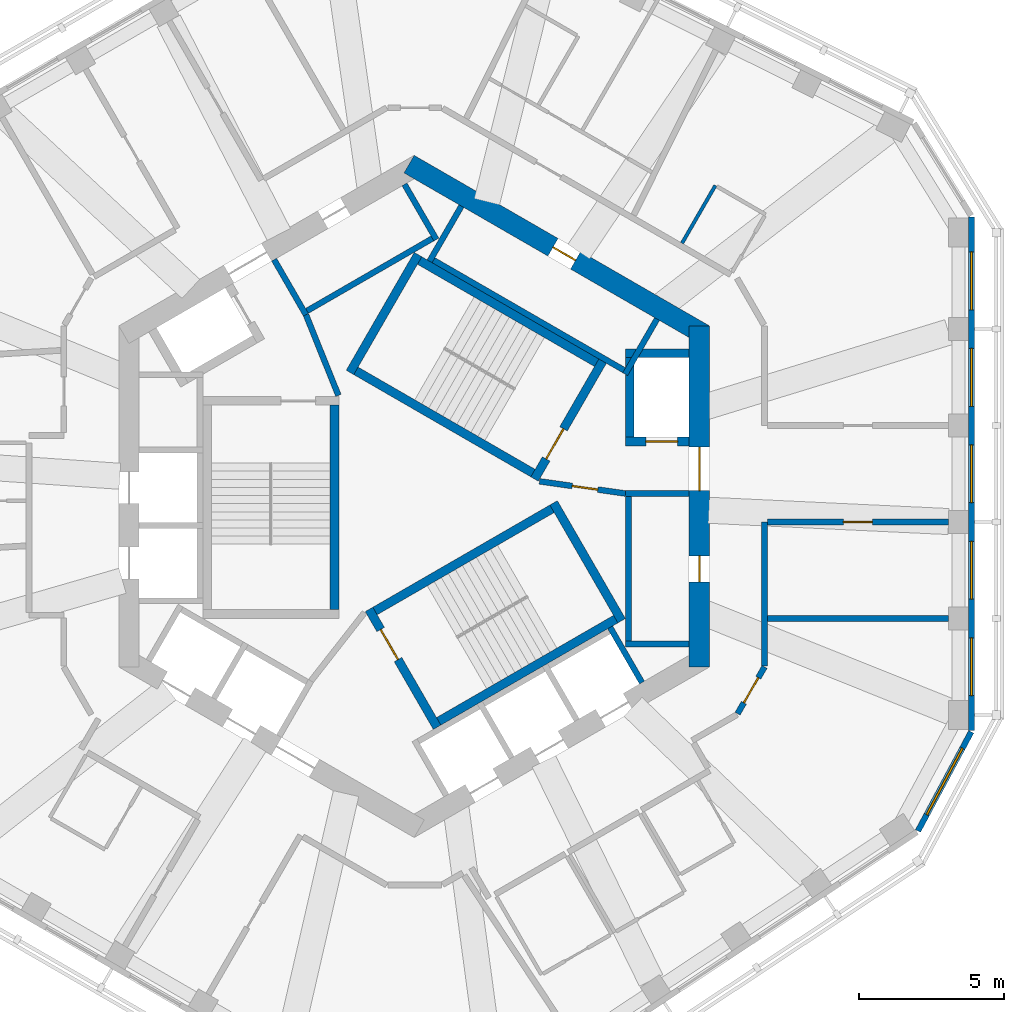
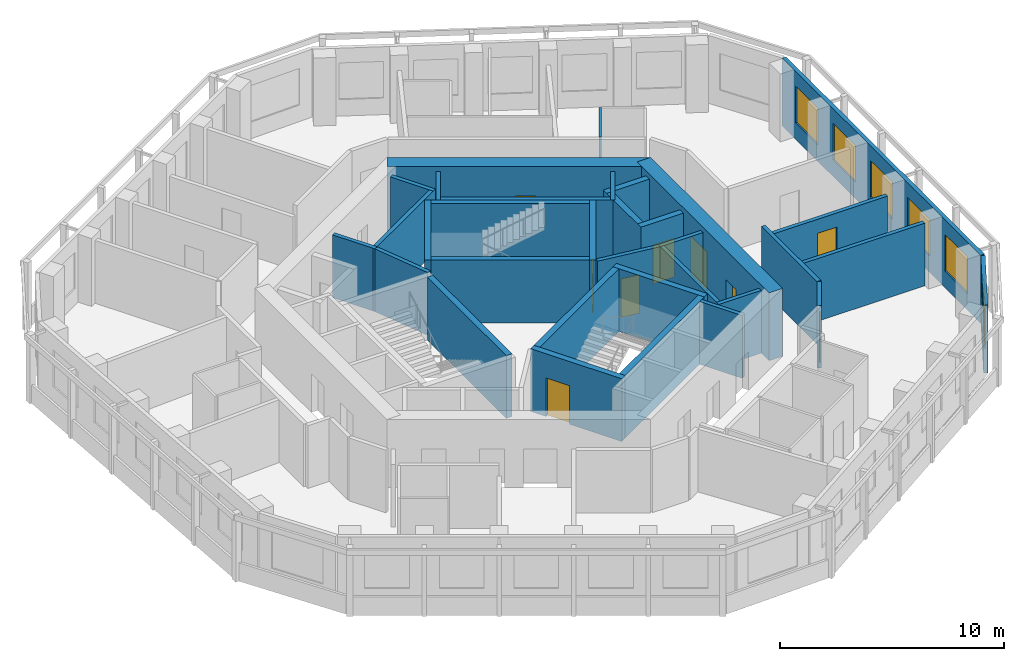
# One storey, part 6 of 11: 33 walls, 9 doors, 6 windows, 15 openings.
"""IFC4 building model written with IfcOpenShell, lengths in metres."""

from ifc_helpers import new_model, si_unit, direction, frame, frame_2d, origin, place, context, subcontext, project, spatial, rectangle, extrude, material, layer, layer_set, type_object, element, fill, save


model = new_model("IFC4")

# Units and contexts
model_context = context("Model", 3, precision=1e-05, world=origin(), true_north=direction((0.0, 1.0)))
body_context = subcontext(model_context, "Body", "Model", "MODEL_VIEW")
ifc_project = project(units=[si_unit("LENGTHUNIT", "METRE"), si_unit("AREAUNIT", "SQUARE_METRE"), si_unit("VOLUMEUNIT", "CUBIC_METRE"), si_unit("PLANEANGLEUNIT", "RADIAN"), si_unit("MASSUNIT", "GRAM", prefix="KILO")], contexts=[model_context])

# Site, building, storey
site_placement = place(None, origin())
site = spatial("IfcSite", under=ifc_project, at=site_placement, CompositionType="ELEMENT")
building_placement = place(site_placement, origin())
building = spatial("IfcBuilding", under=site, at=building_placement, Name="Vanh Sen Convention Tower", CompositionType="ELEMENT")
storey_placement = place(building_placement, frame((0.0, 0.0, 289.39990234375)))
storey = spatial("IfcBuildingStorey", under=building, at=storey_placement, Name="L71", CompositionType="ELEMENT", Elevation=289.39990234375)

# Wall
ifc_material_1 = material(Name="Moisture-resistant gypsum board on steel studs", Category="steel")
ifc_layer_1 = layer(ifc_material_1, 0.1201171875)
ifc_layer_set_1 = layer_set([ifc_layer_1], Name="Moisture-resistant gypsum board on steel studs")
wall_type_1 = type_object("IfcWallType", Name="Bathroom partition 120", PredefinedType="PARTITIONING", material=ifc_layer_set_1)
wall_1_placement = place(storey_placement, frame((9.25146484375, 8.74609375, 0.0), z_axis=(0.0, 0.0, 1.0), x_axis=(0.499998129301, 0.86602648383, 0.0)))
element("IfcWall", 1, at=wall_1_placement, inside=storey, type_object=wall_type_1, Name="Bathroom partition 120", PredefinedType="PARTITIONING", context=body_context, shape_type="SweptSolid", body=[
    extrude(rectangle(XDim=2.2998046875, YDim=0.1201171875, at=frame_2d((1.14990234375, 0.0))), origin(), (0.0, 0.0, 1.0), 3.420166015625),
])

# Wall, openings, doors
ifc_material_2 = material(Name="Concrete C60/75", Category="concrete")
ifc_layer_2 = layer(ifc_material_2, 0.699951171875)
ifc_layer_set_2 = layer_set([ifc_layer_2], Name="Concrete C60/75")
wall_type_2 = type_object("IfcWallType", Name="Core outer wall 700 C60/75", PredefinedType="SHEAR", material=ifc_layer_set_2)
wall_2_placement = place(storey_placement, frame((9.85009765625, -5.888916015625, 0.0), z_axis=(0.0, 0.0, 1.0), x_axis=(0.0, 1.0, 0.0)))
wall_2 = element("IfcWall", 2, at=wall_2_placement, inside=storey, type_object=wall_type_2, Name="Core wall face E L71", PredefinedType="SHEAR", context=body_context, shape_type="SweptSolid", body=[
    extrude(rectangle(XDim=11.77783203125, YDim=0.699951171875, at=frame_2d((5.888916015625, 0.0))), origin(), (0.0, 0.0, 1.0), 3.7001953125),
])
opening_1_placement = place(wall_2_placement, frame((6.089111328125, 0.0, 0.0)))
opening_1 = element("IfcOpeningElement", 3, at=opening_1_placement, cuts=wall_2, Name="Opening D70001", PredefinedType="OPENING", context=body_context, shape_type="SweptSolid", body=[
    extrude(rectangle(XDim=1.5, YDim=2.10009765625, at=frame_2d((0.75, 1.050048828125))), frame((0.0, 0.35986328125, 0.0), z_axis=(0.0, -1.0, 0.0), x_axis=(1.0, 0.0, 0.0)), (0.0, 0.0, 1.0), 0.719970703125),
])
opening_2_placement = place(wall_2_placement, frame((2.93896484375, 0.0, 0.0)))
opening_2 = element("IfcOpeningElement", 4, at=opening_2_placement, cuts=wall_2, Name="Opening D70008", PredefinedType="OPENING", context=body_context, shape_type="SweptSolid", body=[
    extrude(rectangle(XDim=0.89990234375, YDim=2.10009765625, at=frame_2d((0.449951171875, 1.050048828125))), frame((0.0, 0.35986328125, 0.0), z_axis=(0.0, -1.0, 0.0), x_axis=(1.0, 0.0, 0.0)), (0.0, 0.0, 1.0), 0.719970703125),
])
ifc_material_3 = material(Name="Steel S355", Category="steel")
door_type_1 = type_object("IfcDoorType", Name="Plant door 900", OperationType="SINGLE_SWING_LEFT", PredefinedType="DOOR", material=ifc_material_3)
door_1_placement = place(opening_2_placement, origin())
door_1 = element("IfcDoor", 5, at=door_1_placement, inside=storey, type_object=door_type_1, Name="Plant door D70008", OperationType="SINGLE_SWING_LEFT", OverallHeight=2.10009765625, OverallWidth=0.89990234375, PredefinedType="DOOR", context=body_context, shape_type="SweptSolid", body=[
    extrude(rectangle(XDim=0.89990234375, YDim=2.10009765625, at=frame_2d((0.449951171875, 1.050048828125))), frame((0.0, 0.02490234375, 0.0), z_axis=(0.0, -1.0, 0.0), x_axis=(1.0, 0.0, 0.0)), (0.0, 0.0, 1.0), 0.050048828125),
])
fill(opening_2, door_1)
door_type_2 = type_object("IfcDoorType", Name="Stair lobby door 1500", OperationType="DOUBLE_DOOR_SINGLE_SWING", PredefinedType="DOOR", material=ifc_material_3)
door_2_placement = place(opening_1_placement, origin())
door_2 = element("IfcDoor", 6, at=door_2_placement, inside=storey, type_object=door_type_2, Name="Stair lobby door D70001", OperationType="DOUBLE_DOOR_SINGLE_SWING", OverallHeight=2.10009765625, OverallWidth=1.5, PredefinedType="DOOR", context=body_context, shape_type="SweptSolid", body=[
    extrude(rectangle(XDim=1.5, YDim=2.10009765625, at=frame_2d((0.75, 1.050048828125))), frame((0.0, 0.02490234375, 0.0), z_axis=(0.0, -1.0, 0.0), x_axis=(1.0, 0.0, 0.0)), (0.0, 0.0, 1.0), 0.050048828125),
])
fill(opening_1, door_2)

# Wall, opening, door
wall_3_placement = place(storey_placement, frame((10.02490234375, 5.5859375, 0.0), z_axis=(0.0, 0.0, 1.0), x_axis=(-0.866026453023, 0.499998182661, 0.0)))
wall_3 = element("IfcWall", 7, at=wall_3_placement, inside=storey, type_object=wall_type_2, Name="Core wall face NE L71", PredefinedType="SHEAR", context=body_context, shape_type="SweptSolid", body=[
    extrude(rectangle(XDim=11.77783203125, YDim=0.699951171875, at=frame_2d((5.888916015625, 0.0))), origin(), (0.0, 0.0, 1.0), 3.7001953125),
])
opening_3_placement = place(wall_3_placement, frame((5.138916015625, 0.0, 0.0)))
opening_3 = element("IfcOpeningElement", 8, at=opening_3_placement, cuts=wall_3, Name="Opening D70009", PredefinedType="OPENING", context=body_context, shape_type="SweptSolid", body=[
    extrude(rectangle(XDim=0.89990234375, YDim=2.10009765625, at=frame_2d((0.449951171875, 1.050048828125))), frame((0.0, 0.35986328125, 0.0), z_axis=(0.0, -1.0, 0.0), x_axis=(1.0, 0.0, 0.0)), (0.0, 0.0, 1.0), 0.719970703125),
])
door_3_placement = place(opening_3_placement, origin())
door_3 = element("IfcDoor", 9, at=door_3_placement, inside=storey, type_object=door_type_1, Name="Plant door D70009", OperationType="SINGLE_SWING_LEFT", OverallHeight=2.10009765625, OverallWidth=0.89990234375, PredefinedType="DOOR", context=body_context, shape_type="SweptSolid", body=[
    extrude(rectangle(XDim=0.89990234375, YDim=2.10009765625, at=frame_2d((0.449951171875, 1.050048828125))), frame((0.0, 0.02490234375, 0.0), z_axis=(0.0, -1.0, 0.0), x_axis=(1.0, 0.0, 0.0)), (0.0, 0.0, 1.0), 0.050048828125),
])
fill(opening_3, door_3)

ifc_material_4 = material(Name="Gypsum board on steel studs with mineral wool", Category="steel")
ifc_layer_3 = layer(ifc_material_4, 0.199951171875)
ifc_layer_set_3 = layer_set([ifc_layer_3], Name="Gypsum board on steel studs with mineral wool")
wall_type_3 = type_object("IfcWallType", Name="Corridor partition wall 200", PredefinedType="PARTITIONING", material=ifc_layer_set_3)
wall_4_placement = place(storey_placement, frame((11.169921875, -7.5, 0.0), z_axis=(0.0, 0.0, 1.0), x_axis=(0.500006454166, 0.866021677438, 0.0)))
wall_4 = element("IfcWall", 10, at=wall_4_placement, inside=storey, type_object=wall_type_3, Name="Corridor partition wall 200", PredefinedType="PARTITIONING", context=body_context, shape_type="SweptSolid", body=[
    extrude(rectangle(XDim=1.8603515625, YDim=0.199951171875, at=frame_2d((0.93017578125, 0.0))), origin(), (0.0, 0.0, 1.0), 3.420166015625),
])
opening_4_placement = place(wall_4_placement, frame((0.429931640625, 0.0, 0.0)))
opening_4 = element("IfcOpeningElement", 11, at=opening_4_placement, cuts=wall_4, Name="Opening D70116", PredefinedType="OPENING", context=body_context, shape_type="SweptSolid", body=[
    extrude(rectangle(XDim=1.0, YDim=2.10009765625, at=frame_2d((0.5, 1.050048828125))), frame((0.0, 0.10986328125, 0.0), z_axis=(0.0, -1.0, 0.0), x_axis=(1.0, 0.0, 0.0)), (0.0, 0.0, 1.0), 0.219970703125),
])
ifc_material_5 = material(Name="Glazed fire door in steel frame", Category="steel")
door_type_3 = type_object("IfcDoorType", Name="Tenant entrance door 1000", OperationType="SINGLE_SWING_LEFT", PredefinedType="DOOR", material=ifc_material_5)
door_4_placement = place(opening_4_placement, origin())
door_4 = element("IfcDoor", 12, at=door_4_placement, inside=storey, type_object=door_type_3, Name="Tenant suite entrance door D70116", OperationType="SINGLE_SWING_LEFT", OverallHeight=2.10009765625, OverallWidth=1.0, PredefinedType="DOOR", context=body_context, shape_type="SweptSolid", body=[
    extrude(rectangle(XDim=1.0, YDim=2.10009765625, at=frame_2d((0.5, 1.050048828125))), frame((0.0, 0.02490234375, 0.0), z_axis=(0.0, -1.0, 0.0), x_axis=(1.0, 0.0, 0.0)), (0.0, 0.0, 1.0), 0.050048828125),
])
fill(opening_4, door_4)

# Wall
wall_5_placement = place(storey_placement, frame((12.10009765625, -5.84912109375, 0.0), z_axis=(0.0, 0.0, 1.0), x_axis=(0.0, 1.0, 0.0)))
element("IfcWall", 13, at=wall_5_placement, inside=storey, type_object=wall_type_3, Name="Corridor partition wall 200", PredefinedType="PARTITIONING", context=body_context, shape_type="SweptSolid", body=[
    extrude(rectangle(XDim=4.9658203125, YDim=0.199951171875, at=frame_2d((2.48291015625, 0.0))), origin(), (0.0, 0.0, 1.0), 3.420166015625),
])

# Wall, opening, door
wall_6_placement = place(storey_placement, frame((12.199951171875, -0.88330078125, 0.0), z_axis=(0.0, 0.0, 1.0), x_axis=(1.0, 0.0, 0.0)))
wall_6 = element("IfcWall", 14, at=wall_6_placement, inside=storey, type_object=wall_type_3, Name="Corridor partition wall 200", PredefinedType="PARTITIONING", context=body_context, shape_type="SweptSolid", body=[
    extrude(rectangle(XDim=6.25, YDim=0.199951171875, at=frame_2d((3.125, 0.0))), origin(), (0.0, 0.0, 1.0), 2.8701171875),
])
opening_5_placement = place(wall_6_placement, frame((2.625, 0.0, 0.0)))
opening_5 = element("IfcOpeningElement", 15, at=opening_5_placement, cuts=wall_6, Name="Opening D70120", PredefinedType="OPENING", context=body_context, shape_type="SweptSolid", body=[
    extrude(rectangle(XDim=1.0, YDim=2.10009765625, at=frame_2d((0.5, 1.050048828125))), frame((0.0, 0.10986328125, 0.0), z_axis=(0.0, -1.0, 0.0), x_axis=(1.0, 0.0, 0.0)), (0.0, 0.0, 1.0), 0.219970703125),
])
door_5_placement = place(opening_5_placement, origin())
door_5 = element("IfcDoor", 16, at=door_5_placement, inside=storey, type_object=door_type_3, Name="Tenant suite entrance door D70120", OperationType="SINGLE_SWING_LEFT", OverallHeight=2.10009765625, OverallWidth=1.0, PredefinedType="DOOR", context=body_context, shape_type="SweptSolid", body=[
    extrude(rectangle(XDim=1.0, YDim=2.10009765625, at=frame_2d((0.5, 1.050048828125))), frame((0.0, 0.02490234375, 0.0), z_axis=(0.0, -1.0, 0.0), x_axis=(1.0, 0.0, 0.0)), (0.0, 0.0, 1.0), 0.050048828125),
])
fill(opening_5, door_5)

# Wall, openings, windows
ifc_material_6 = material(Name="Insulated lightweight infill wall")
ifc_layer_4 = layer(ifc_material_6, 0.199951171875)
ifc_layer_set_4 = layer_set([ifc_layer_4], Name="Insulated lightweight infill wall")
wall_type_4 = type_object("IfcWallType", Name="External wall 200", PredefinedType="STANDARD", material=ifc_layer_set_4)
wall_7_placement = place(storey_placement, frame((19.25, -8.083984375, 0.0), z_axis=(0.0, 0.0, 1.0), x_axis=(0.0, 1.0, 0.0)))
wall_7 = element("IfcWall", 17, at=wall_7_placement, inside=storey, type_object=wall_type_4, Name="External wall E L71", PredefinedType="STANDARD", context=body_context, shape_type="SweptSolid", body=[
    extrude(rectangle(XDim=17.731201171875, YDim=0.199951171875, at=frame_2d((8.86572265625, 0.0))), origin(), (0.0, 0.0, 1.0), 3.7001953125),
])
opening_6_placement = place(wall_7_placement, frame((1.203125, 0.0, 0.89990234375)))
opening_6 = element("IfcOpeningElement", 18, at=opening_6_placement, cuts=wall_7, Name="Opening WO5-E1", PredefinedType="OPENING", context=body_context, shape_type="SweptSolid", body=[
    extrude(rectangle(XDim=2.0, YDim=2.0, at=frame_2d((1.0, 1.0))), frame((0.0, 0.10986328125, 0.0), z_axis=(0.0, -1.0, 0.0), x_axis=(1.0, 0.0, 0.0)), (0.0, 0.0, 1.0), 0.219970703125),
])
opening_7_placement = place(wall_7_placement, frame((4.534912109375, 0.0, 0.89990234375)))
opening_7 = element("IfcOpeningElement", 19, at=opening_7_placement, cuts=wall_7, Name="Opening WO5-E2", PredefinedType="OPENING", context=body_context, shape_type="SweptSolid", body=[
    extrude(rectangle(XDim=2.0, YDim=2.0, at=frame_2d((1.0, 1.0))), frame((0.0, 0.10986328125, 0.0), z_axis=(0.0, -1.0, 0.0), x_axis=(1.0, 0.0, 0.0)), (0.0, 0.0, 1.0), 0.219970703125),
])
opening_8_placement = place(wall_7_placement, frame((7.866455078125, 0.0, 0.89990234375)))
opening_8 = element("IfcOpeningElement", 20, at=opening_8_placement, cuts=wall_7, Name="Opening WO5-E3", PredefinedType="OPENING", context=body_context, shape_type="SweptSolid", body=[
    extrude(rectangle(XDim=2.0, YDim=2.0, at=frame_2d((1.0, 1.0))), frame((0.0, 0.10986328125, 0.0), z_axis=(0.0, -1.0, 0.0), x_axis=(1.0, 0.0, 0.0)), (0.0, 0.0, 1.0), 0.219970703125),
])
opening_9_placement = place(wall_7_placement, frame((11.197998046875, 0.0, 0.89990234375)))
opening_9 = element("IfcOpeningElement", 21, at=opening_9_placement, cuts=wall_7, Name="Opening WO5-E4", PredefinedType="OPENING", context=body_context, shape_type="SweptSolid", body=[
    extrude(rectangle(XDim=2.0, YDim=2.0, at=frame_2d((1.0, 1.0))), frame((0.0, 0.10986328125, 0.0), z_axis=(0.0, -1.0, 0.0), x_axis=(1.0, 0.0, 0.0)), (0.0, 0.0, 1.0), 0.219970703125),
])
opening_10_placement = place(wall_7_placement, frame((14.52978515625, 0.0, 0.89990234375)))
opening_10 = element("IfcOpeningElement", 22, at=opening_10_placement, cuts=wall_7, Name="Opening WO5-E5", PredefinedType="OPENING", context=body_context, shape_type="SweptSolid", body=[
    extrude(rectangle(XDim=2.0, YDim=2.0, at=frame_2d((1.0, 1.0))), frame((0.0, 0.10986328125, 0.0), z_axis=(0.0, -1.0, 0.0), x_axis=(1.0, 0.0, 0.0)), (0.0, 0.0, 1.0), 0.219970703125),
])
ifc_material_7 = material(Name="Aluminium frame with clear low-emissivity glass", Category="aluminium")
window_type_1 = type_object("IfcWindowType", Name="Office window 2000 x 2000", PartitioningType="SINGLE_PANEL", PredefinedType="WINDOW", material=ifc_material_7)
window_1_placement = place(opening_6_placement, origin())
window_1 = element("IfcWindow", 23, at=window_1_placement, inside=storey, type_object=window_type_1, Name="Window WO5-E1", OverallHeight=2.0, OverallWidth=2.0, PartitioningType="SINGLE_PANEL", PredefinedType="WINDOW", context=body_context, shape_type="SweptSolid", body=[
    extrude(rectangle(XDim=2.0, YDim=2.0, at=frame_2d((1.0, 1.0))), frame((0.0, 0.030029296875, 0.0), z_axis=(0.0, -1.0, 0.0), x_axis=(1.0, 0.0, 0.0)), (0.0, 0.0, 1.0), 0.06005859375),
])
fill(opening_6, window_1)
window_2_placement = place(opening_7_placement, origin())
window_2 = element("IfcWindow", 24, at=window_2_placement, inside=storey, type_object=window_type_1, Name="Window WO5-E2", OverallHeight=2.0, OverallWidth=2.0, PartitioningType="SINGLE_PANEL", PredefinedType="WINDOW", context=body_context, shape_type="SweptSolid", body=[
    extrude(rectangle(XDim=2.0, YDim=2.0, at=frame_2d((1.0, 1.0))), frame((0.0, 0.030029296875, 0.0), z_axis=(0.0, -1.0, 0.0), x_axis=(1.0, 0.0, 0.0)), (0.0, 0.0, 1.0), 0.06005859375),
])
fill(opening_7, window_2)
window_3_placement = place(opening_8_placement, origin())
window_3 = element("IfcWindow", 25, at=window_3_placement, inside=storey, type_object=window_type_1, Name="Window WO5-E3", OverallHeight=2.0, OverallWidth=2.0, PartitioningType="SINGLE_PANEL", PredefinedType="WINDOW", context=body_context, shape_type="SweptSolid", body=[
    extrude(rectangle(XDim=2.0, YDim=2.0, at=frame_2d((1.0, 1.0))), frame((0.0, 0.030029296875, 0.0), z_axis=(0.0, -1.0, 0.0), x_axis=(1.0, 0.0, 0.0)), (0.0, 0.0, 1.0), 0.06005859375),
])
fill(opening_8, window_3)
window_4_placement = place(opening_9_placement, origin())
window_4 = element("IfcWindow", 26, at=window_4_placement, inside=storey, type_object=window_type_1, Name="Window WO5-E4", OverallHeight=2.0, OverallWidth=2.0, PartitioningType="SINGLE_PANEL", PredefinedType="WINDOW", context=body_context, shape_type="SweptSolid", body=[
    extrude(rectangle(XDim=2.0, YDim=2.0, at=frame_2d((1.0, 1.0))), frame((0.0, 0.030029296875, 0.0), z_axis=(0.0, -1.0, 0.0), x_axis=(1.0, 0.0, 0.0)), (0.0, 0.0, 1.0), 0.06005859375),
])
fill(opening_9, window_4)
window_5_placement = place(opening_10_placement, origin())
window_5 = element("IfcWindow", 27, at=window_5_placement, inside=storey, type_object=window_type_1, Name="Window WO5-E5", OverallHeight=2.0, OverallWidth=2.0, PartitioningType="SINGLE_PANEL", PredefinedType="WINDOW", context=body_context, shape_type="SweptSolid", body=[
    extrude(rectangle(XDim=2.0, YDim=2.0, at=frame_2d((1.0, 1.0))), frame((0.0, 0.030029296875, 0.0), z_axis=(0.0, -1.0, 0.0), x_axis=(1.0, 0.0, 0.0)), (0.0, 0.0, 1.0), 0.06005859375),
])
fill(opening_10, window_5)

# Wall, opening, window
wall_8_placement = place(storey_placement, frame((17.39892578125, -11.55419921875, 0.0), z_axis=(0.0, 0.0, 1.0), x_axis=(0.473309051311, 0.880896442238, 0.0)))
wall_8 = element("IfcWall", 28, at=wall_8_placement, inside=storey, type_object=wall_type_4, Name="External wall CH6 L71", PredefinedType="STANDARD", context=body_context, shape_type="SweptSolid", body=[
    extrude(rectangle(XDim=3.8857421875, YDim=0.199951171875, at=frame_2d((1.94287109375, 0.0))), origin(), (0.0, 0.0, 1.0), 3.7001953125),
])
opening_11_placement = place(wall_8_placement, frame((0.642822265625, 0.0, 0.89990234375)))
opening_11 = element("IfcOpeningElement", 29, at=opening_11_placement, cuts=wall_8, Name="Opening WO6-CH61", PredefinedType="OPENING", context=body_context, shape_type="SweptSolid", body=[
    extrude(rectangle(XDim=2.60009765625, YDim=2.0, at=frame_2d((1.300048828125, 1.0))), frame((0.0, 0.10986328125, 0.0), z_axis=(0.0, -1.0, 0.0), x_axis=(1.0, 0.0, 0.0)), (0.0, 0.0, 1.0), 0.219970703125),
])
window_type_2 = type_object("IfcWindowType", Name="Office window 2600 x 2000", PartitioningType="SINGLE_PANEL", PredefinedType="WINDOW", material=ifc_material_7)
window_6_placement = place(opening_11_placement, origin())
window_6 = element("IfcWindow", 30, at=window_6_placement, inside=storey, type_object=window_type_2, Name="Window WO6-CH61", OverallHeight=2.0, OverallWidth=2.60009765625, PartitioningType="SINGLE_PANEL", PredefinedType="WINDOW", context=body_context, shape_type="SweptSolid", body=[
    extrude(rectangle(XDim=2.60009765625, YDim=2.0, at=frame_2d((1.300048828125, 1.0))), frame((0.0, 0.030029296875, 0.0), z_axis=(0.0, -1.0, 0.0), x_axis=(1.0, 0.0, 0.0)), (0.0, 0.0, 1.0), 0.06005859375),
])
fill(opening_11, window_6)

# Wall, opening, door
ifc_layer_5 = layer(ifc_material_2, 0.300048828125)
ifc_layer_set_5 = layer_set([ifc_layer_5], Name="Concrete C60/75")
wall_type_5 = type_object("IfcWallType", Name="Fire-fighting lift shaft wall 300", PredefinedType="SHEAR", material=ifc_layer_set_5)
wall_9_placement = place(storey_placement, frame((7.300048828125, 1.89990234375, 0.0), z_axis=(0.0, 0.0, 1.0), x_axis=(1.0, 0.0, 0.0)))
wall_9 = element("IfcWall", 31, at=wall_9_placement, inside=storey, type_object=wall_type_5, Name="Fire-fighting lift shaft wall L71", PredefinedType="SHEAR", context=body_context, shape_type="SweptSolid", body=[
    extrude(rectangle(XDim=2.199951171875, YDim=0.300048828125, at=frame_2d((1.10009765625, 0.0))), origin(), (0.0, 0.0, 1.0), 3.420166015625),
])
opening_12_placement = place(wall_9_placement, frame((0.699951171875, 0.0, 0.0)))
opening_12 = element("IfcOpeningElement", 32, at=opening_12_placement, cuts=wall_9, Name="Opening LD-FF1", PredefinedType="OPENING", context=body_context, shape_type="SweptSolid", body=[
    extrude(rectangle(XDim=1.10009765625, YDim=2.10009765625, at=frame_2d((0.550048828125, 1.050048828125))), frame((0.0, 0.159912109375, 0.0), z_axis=(0.0, -1.0, 0.0), x_axis=(1.0, 0.0, 0.0)), (0.0, 0.0, 1.0), 0.320068359375),
])
ifc_material_8 = material(Name="Stainless steel", Category="steel")
door_type_4 = type_object("IfcDoorType", Name="Fire-fighting lift landing door 1100", OperationType="DOUBLE_DOOR_SLIDING", PredefinedType="DOOR", material=ifc_material_8)
door_6_placement = place(opening_12_placement, origin())
door_6 = element("IfcDoor", 33, at=door_6_placement, inside=storey, type_object=door_type_4, Name="Lift FF1 landing door LD-FF1", OperationType="DOUBLE_DOOR_SLIDING", OverallHeight=2.10009765625, OverallWidth=1.10009765625, PredefinedType="DOOR", context=body_context, shape_type="SweptSolid", body=[
    extrude(rectangle(XDim=1.10009765625, YDim=2.10009765625, at=frame_2d((0.550048828125, 1.050048828125))), frame((0.0, 0.02490234375, 0.0), z_axis=(0.0, -1.0, 0.0), x_axis=(1.0, 0.0, 0.0)), (0.0, 0.0, 1.0), 0.050048828125),
])
fill(opening_12, door_6)

# Walls
wall_10_placement = place(storey_placement, frame((7.449951171875, 1.75, 0.0), z_axis=(0.0, 0.0, 1.0), x_axis=(0.0, 1.0, 0.0)))
element("IfcWall", 34, at=wall_10_placement, inside=storey, type_object=wall_type_5, Name="Fire-fighting lift shaft wall L71", PredefinedType="SHEAR", context=body_context, shape_type="SweptSolid", body=[
    extrude(rectangle(XDim=3.35009765625, YDim=0.300048828125, at=frame_2d((1.675048828125, 0.0))), origin(), (0.0, 0.0, 1.0), 3.420166015625),
])
wall_11_placement = place(storey_placement, frame((7.300048828125, 4.949951171875, 0.0), z_axis=(0.0, 0.0, 1.0), x_axis=(1.0, 0.0, 0.0)))
element("IfcWall", 35, at=wall_11_placement, inside=storey, type_object=wall_type_5, Name="Fire-fighting lift shaft wall L71", PredefinedType="SHEAR", context=body_context, shape_type="SweptSolid", body=[
    extrude(rectangle(XDim=2.199951171875, YDim=0.300048828125, at=frame_2d((1.10009765625, 0.0))), origin(), (0.0, 0.0, 1.0), 3.420166015625),
])
ifc_material_9 = material(Name="Concrete C40/50", Category="concrete")
ifc_layer_6 = layer(ifc_material_9, 0.199951171875)
ifc_layer_set_6 = layer_set([ifc_layer_6], Name="Concrete C40/50")
wall_type_6 = type_object("IfcWallType", Name="Lift shaft wall 200", PredefinedType="PARTITIONING", material=ifc_layer_set_6)
wall_12_placement = place(storey_placement, frame((7.39990234375, -5.199951171875, 0.0), z_axis=(0.0, 0.0, 1.0), x_axis=(0.0, 1.0, 0.0)))
element("IfcWall", 36, at=wall_12_placement, inside=storey, type_object=wall_type_6, Name="Lift shaft wall L71", PredefinedType="PARTITIONING", context=body_context, shape_type="SweptSolid", body=[
    extrude(rectangle(XDim=5.39990234375, YDim=0.199951171875, at=frame_2d((2.699951171875, 0.0))), origin(), (0.0, 0.0, 1.0), 3.420166015625),
])
for number, where, z_axis, x_axis, name in (
    (37, (7.300048828125, -5.10009765625, 0.0), (0.0, 0.0, 1.0), (1.0, 0.0, 0.0), "Lift shaft wall L71"),
    (38, (7.300048828125, 0.10009765625, 0.0), (0.0, 0.0, 1.0), (1.0, 0.0, 0.0), "Lift shaft wall L71"),
):
    element("IfcWall", number, at=place(storey_placement, frame(where, z_axis=z_axis, x_axis=x_axis)), inside=storey, type_object=wall_type_6, Name=name, PredefinedType="PARTITIONING", context=body_context, shape_type="SweptSolid", body=[
        extrude(rectangle(XDim=2.199951171875, YDim=0.199951171875, at=frame_2d((1.10009765625, 0.0))), origin(), (0.0, 0.0, 1.0), 3.420166015625),
    ])
wall_13_placement = place(storey_placement, frame((7.423828125, 4.258544921875, 0.0), z_axis=(0.0, 0.0, 1.0), x_axis=(-0.866026010844, 0.49999894854, 0.0)))
element("IfcWall", 39, at=wall_13_placement, inside=storey, type_object=wall_type_6, Name="Lift shaft wall L71", PredefinedType="PARTITIONING", context=body_context, shape_type="SweptSolid", body=[
    extrude(rectangle(XDim=8.0, YDim=0.199951171875, at=frame_2d((4.0, 0.0))), origin(), (0.0, 0.0, 1.0), 3.420166015625),
])
for number, where, z_axis, x_axis, name in (
    (40, (7.287353515625, 4.221923828125, 0.0), (0.0, 0.0, 1.0), (0.499946605688, 0.86605622881, 0.0), "Lift shaft wall L71"),
    (41, (0.5322265625, 8.1220703125, 0.0), (0.0, 0.0, 1.0), (0.500077893725, 0.86598042715, 0.0), "Lift shaft wall L71"),
):
    element("IfcWall", number, at=place(storey_placement, frame(where, z_axis=z_axis, x_axis=x_axis)), inside=storey, type_object=wall_type_6, Name=name, PredefinedType="PARTITIONING", context=body_context, shape_type="SweptSolid", body=[
        extrude(rectangle(XDim=2.199951171875, YDim=0.199951171875, at=frame_2d((1.10009765625, 0.0))), origin(), (0.0, 0.0, 1.0), 3.420166015625),
    ])
wall_14_placement = place(storey_placement, frame((0.80322265625, 9.008544921875, 0.0), z_axis=(0.0, 0.0, 1.0), x_axis=(-0.866028230842, -0.499995103361, 0.0)))
element("IfcWall", 42, at=wall_14_placement, inside=storey, type_object=wall_type_6, Name="Lift shaft wall L71", PredefinedType="PARTITIONING", context=body_context, shape_type="SweptSolid", body=[
    extrude(rectangle(XDim=5.39990234375, YDim=0.199951171875, at=frame_2d((2.699951171875, 0.0))), origin(), (0.0, 0.0, 1.0), 3.420166015625),
])
wall_15_placement = place(storey_placement, frame((0.7666015625, 8.8720703125, 0.0), z_axis=(0.0, 0.0, 1.0), x_axis=(-0.499994660107, 0.866028486751, 0.0)))
element("IfcWall", 43, at=wall_15_placement, inside=storey, type_object=wall_type_6, Name="Lift shaft wall L71", PredefinedType="PARTITIONING", context=body_context, shape_type="SweptSolid", body=[
    extrude(rectangle(XDim=2.19970703125, YDim=0.199951171875, at=frame_2d((1.099853515625, 0.0))), origin(), (0.0, 0.0, 1.0), 3.420166015625),
])
for number, where, z_axis, x_axis, name in (
    (44, (-3.736572265625, 6.27197265625, 0.0), (0.0, 0.0, 1.0), (-0.50002983664, 0.866008176907, 0.0), "Lift shaft wall L71"),
    (45, (6.767578125, -4.52197265625, 0.0), (0.0, 0.0, 1.0), (0.50002983664, -0.866008176907, 0.0), "Lift shaft wall L71"),
):
    element("IfcWall", number, at=place(storey_placement, frame(where, z_axis=z_axis, x_axis=x_axis)), inside=storey, type_object=wall_type_6, Name=name, PredefinedType="PARTITIONING", context=body_context, shape_type="SweptSolid", body=[
        extrude(rectangle(XDim=2.199951171875, YDim=0.199951171875, at=frame_2d((1.10009765625, 0.0))), origin(), (0.0, 0.0, 1.0), 3.420166015625),
    ])

# Wall, opening, door
ifc_layer_7 = layer(ifc_material_9, 0.199951171875)
ifc_layer_set_7 = layer_set([ifc_layer_7], Name="Concrete C40/50")
wall_type_7 = type_object("IfcWallType", Name="Stair lobby wall 200", PredefinedType="PARTITIONING", material=ifc_layer_set_7)
wall_16_placement = place(storey_placement, frame((4.327392578125, 0.52099609375, 0.0), z_axis=(0.0, 0.0, 1.0), x_axis=(0.990124376366, -0.14019172346, 0.0)))
wall_16 = element("IfcWall", 46, at=wall_16_placement, inside=storey, type_object=wall_type_7, Name="Stair lobby wall L71", PredefinedType="PARTITIONING", context=body_context, shape_type="SweptSolid", body=[
    extrude(rectangle(XDim=3.002197265625, YDim=0.199951171875, at=frame_2d((1.5009765625, 0.0))), origin(), (0.0, 0.0, 1.0), 3.420166015625),
])
opening_13_placement = place(wall_16_placement, frame((1.13818359375, 0.0, 0.0)))
opening_13 = element("IfcOpeningElement", 47, at=opening_13_placement, cuts=wall_16, Name="Opening D70007", PredefinedType="OPENING", context=body_context, shape_type="SweptSolid", body=[
    extrude(rectangle(XDim=0.89990234375, YDim=2.10009765625, at=frame_2d((0.449951171875, 1.050048828125))), frame((0.0, 0.10986328125, 0.0), z_axis=(0.0, -1.0, 0.0), x_axis=(1.0, 0.0, 0.0)), (0.0, 0.0, 1.0), 0.219970703125),
])
door_7_placement = place(opening_13_placement, origin())
door_7 = element("IfcDoor", 48, at=door_7_placement, inside=storey, type_object=door_type_1, Name="Plant door D70007", OperationType="SINGLE_SWING_LEFT", OverallHeight=2.10009765625, OverallWidth=0.89990234375, PredefinedType="DOOR", context=body_context, shape_type="SweptSolid", body=[
    extrude(rectangle(XDim=0.89990234375, YDim=2.10009765625, at=frame_2d((0.449951171875, 1.050048828125))), frame((0.0, 0.02490234375, 0.0), z_axis=(0.0, -1.0, 0.0), x_axis=(1.0, 0.0, 0.0)), (0.0, 0.0, 1.0), 0.050048828125),
])
fill(opening_13, door_7)

# Wall
wall_17_placement = place(storey_placement, frame((-2.614990234375, 3.487060546875, 0.0), z_axis=(0.0, 0.0, 1.0), x_axis=(-0.373576831041, 0.92759924068, 0.0)))
element("IfcWall", 49, at=wall_17_placement, inside=storey, type_object=wall_type_7, Name="Stair lobby wall L71", PredefinedType="PARTITIONING", context=body_context, shape_type="SweptSolid", body=[
    extrude(rectangle(XDim=3.002197265625, YDim=0.199951171875, at=frame_2d((1.5009765625, 0.0))), origin(), (0.0, 0.0, 1.0), 3.420166015625),
])

# Wall, opening, door
ifc_layer_8 = layer(ifc_material_2, 0.300048828125)
ifc_layer_set_8 = layer_set([ifc_layer_8], Name="Concrete C60/75")
wall_type_8 = type_object("IfcWallType", Name="Stair wall 300", PredefinedType="SHEAR", material=ifc_layer_set_8)
wall_18_placement = place(storey_placement, frame((4.157958984375, 0.601806640625, 0.0), z_axis=(0.0, 0.0, 1.0), x_axis=(0.499977259774, 0.866038532462, 0.0)))
wall_18 = element("IfcWall", 50, at=wall_18_placement, inside=storey, type_object=wall_type_8, Name="Stair wall L71", PredefinedType="SHEAR", context=body_context, shape_type="SweptSolid", body=[
    extrude(rectangle(XDim=4.699951171875, YDim=0.300048828125, at=frame_2d((2.35009765625, 0.0))), origin(), (0.0, 0.0, 1.0), 3.420166015625),
])
opening_14_placement = place(wall_18_placement, frame((0.800048828125, 0.0, 0.0)))
opening_14 = element("IfcOpeningElement", 51, at=opening_14_placement, cuts=wall_18, Name="Opening D70004", PredefinedType="OPENING", context=body_context, shape_type="SweptSolid", body=[
    extrude(rectangle(XDim=1.199951171875, YDim=2.10009765625, at=frame_2d((0.60009765625, 1.050048828125))), frame((0.0, 0.159912109375, 0.0), z_axis=(0.0, -1.0, 0.0), x_axis=(1.0, 0.0, 0.0)), (0.0, 0.0, 1.0), 0.320068359375),
])
door_type_5 = type_object("IfcDoorType", Name="Stair door 1200", OperationType="SINGLE_SWING_RIGHT", PredefinedType="DOOR", material=ifc_material_3)
door_8_placement = place(opening_14_placement, origin())
door_8 = element("IfcDoor", 52, at=door_8_placement, inside=storey, type_object=door_type_5, Name="Stair ST1 door D70004", OperationType="SINGLE_SWING_RIGHT", OverallHeight=2.10009765625, OverallWidth=1.199951171875, PredefinedType="DOOR", context=body_context, shape_type="SweptSolid", body=[
    extrude(rectangle(XDim=1.199951171875, YDim=2.10009765625, at=frame_2d((0.60009765625, 1.050048828125))), frame((0.0, 0.02490234375, 0.0), z_axis=(0.0, -1.0, 0.0), x_axis=(1.0, 0.0, 0.0)), (0.0, 0.0, 1.0), 0.050048828125),
])
fill(opening_14, door_8)

# Walls
wall_19_placement = place(storey_placement, frame((-2.216064453125, 4.28173828125, 0.0), z_axis=(0.0, 0.0, 1.0), x_axis=(0.499977259774, 0.866038532462, 0.0)))
element("IfcWall", 53, at=wall_19_placement, inside=storey, type_object=wall_type_8, Name="Stair wall L71", PredefinedType="SHEAR", context=body_context, shape_type="SweptSolid", body=[
    extrude(rectangle(XDim=4.699951171875, YDim=0.300048828125, at=frame_2d((2.35009765625, 0.0))), origin(), (0.0, 0.0, 1.0), 3.420166015625),
])
for number, where, z_axis, x_axis, name in (
    (54, (4.10302734375, 0.806640625, 0.0), (0.0, 0.0, 1.0), (-0.866027801685, 0.499995846692, 0.0), "Stair wall L71"),
    (55, (6.302978515625, 4.6171875, 0.0), (0.0, 0.0, 1.0), (-0.866027801685, 0.499995846692, 0.0), "Stair wall L71"),
):
    element("IfcWall", number, at=place(storey_placement, frame(where, z_axis=z_axis, x_axis=x_axis)), inside=storey, type_object=wall_type_8, Name=name, PredefinedType="SHEAR", context=body_context, shape_type="SweptSolid", body=[
        extrude(rectangle(XDim=7.06005859375, YDim=0.300048828125, at=frame_2d((3.530029296875, 0.0))), origin(), (0.0, 0.0, 1.0), 3.420166015625),
    ])
wall_20_placement = place(storey_placement, frame((-2.75, 3.14990234375, 0.0), z_axis=(0.0, 0.0, 1.0), x_axis=(0.0, -1.0, 0.0)))
element("IfcWall", 56, at=wall_20_placement, inside=storey, type_object=wall_type_8, Name="Stair wall L71", PredefinedType="SHEAR", context=body_context, shape_type="SweptSolid", body=[
    extrude(rectangle(XDim=7.059814453125, YDim=0.300048828125, at=frame_2d((3.52978515625, 0.0))), origin(), (0.0, 0.0, 1.0), 3.420166015625),
])

# Wall, opening, door
wall_21_placement = place(storey_placement, frame((-1.557861328125, -3.901611328125, 0.0), z_axis=(0.0, 0.0, 1.0), x_axis=(0.499977259774, -0.866038532462, 0.0)))
wall_21 = element("IfcWall", 57, at=wall_21_placement, inside=storey, type_object=wall_type_8, Name="Stair wall L71", PredefinedType="SHEAR", context=body_context, shape_type="SweptSolid", body=[
    extrude(rectangle(XDim=4.699951171875, YDim=0.300048828125, at=frame_2d((2.35009765625, 0.0))), origin(), (0.0, 0.0, 1.0), 3.420166015625),
])
opening_15_placement = place(wall_21_placement, frame((0.800048828125, 0.0, 0.0)))
opening_15 = element("IfcOpeningElement", 58, at=opening_15_placement, cuts=wall_21, Name="Opening D70006", PredefinedType="OPENING", context=body_context, shape_type="SweptSolid", body=[
    extrude(rectangle(XDim=1.199951171875, YDim=2.10009765625, at=frame_2d((0.60009765625, 1.050048828125))), frame((0.0, 0.159912109375, 0.0), z_axis=(0.0, -1.0, 0.0), x_axis=(1.0, 0.0, 0.0)), (0.0, 0.0, 1.0), 0.320068359375),
])
door_9_placement = place(opening_15_placement, origin())
door_9 = element("IfcDoor", 59, at=door_9_placement, inside=storey, type_object=door_type_5, Name="Stair ST3 door D70006", OperationType="SINGLE_SWING_RIGHT", OverallHeight=2.10009765625, OverallWidth=1.199951171875, PredefinedType="DOOR", context=body_context, shape_type="SweptSolid", body=[
    extrude(rectangle(XDim=1.199951171875, YDim=2.10009765625, at=frame_2d((0.60009765625, 1.050048828125))), frame((0.0, 0.02490234375, 0.0), z_axis=(0.0, -1.0, 0.0), x_axis=(1.0, 0.0, 0.0)), (0.0, 0.0, 1.0), 0.050048828125),
])
fill(opening_15, door_9)

# Walls
wall_22_placement = place(storey_placement, frame((4.816162109375, -0.2216796875, 0.0), z_axis=(0.0, 0.0, 1.0), x_axis=(0.499977259774, -0.866038532462, 0.0)))
element("IfcWall", 60, at=wall_22_placement, inside=storey, type_object=wall_type_8, Name="Stair wall L71", PredefinedType="SHEAR", context=body_context, shape_type="SweptSolid", body=[
    extrude(rectangle(XDim=4.699951171875, YDim=0.300048828125, at=frame_2d((2.35009765625, 0.0))), origin(), (0.0, 0.0, 1.0), 3.420166015625),
])
for number, where, z_axis, x_axis, name in (
    (61, (-1.35302734375, -3.95654296875, 0.0), (0.0, 0.0, 1.0), (0.866027801685, 0.499995846692, 0.0), "Stair wall L71"),
    (62, (0.846923828125, -7.76708984375, 0.0), (0.0, 0.0, 1.0), (0.866027801685, 0.499995846692, 0.0), "Stair wall L71"),
):
    element("IfcWall", number, at=place(storey_placement, frame(where, z_axis=z_axis, x_axis=x_axis)), inside=storey, type_object=wall_type_8, Name=name, PredefinedType="SHEAR", context=body_context, shape_type="SweptSolid", body=[
        extrude(rectangle(XDim=7.06005859375, YDim=0.300048828125, at=frame_2d((3.530029296875, 0.0))), origin(), (0.0, 0.0, 1.0), 3.420166015625),
    ])
ifc_layer_9 = layer(ifc_material_4, 0.199951171875)
ifc_layer_set_9 = layer_set([ifc_layer_9], Name="Gypsum board on steel studs with mineral wool")
wall_type_9 = type_object("IfcWallType", Name="Tenant suite wall 200", PredefinedType="PARTITIONING", material=ifc_layer_set_9)
wall_23_placement = place(storey_placement, frame((18.449951171875, -4.215087890625, 0.0), z_axis=(0.0, 0.0, 1.0), x_axis=(-1.0, 0.0, 0.0)))
element("IfcWall", 63, at=wall_23_placement, inside=storey, type_object=wall_type_9, Name="Tenant suite wall 200", PredefinedType="PARTITIONING", context=body_context, shape_type="SweptSolid", body=[
    extrude(rectangle(XDim=6.25, YDim=0.199951171875, at=frame_2d((3.125, 0.0))), origin(), (0.0, 0.0, 1.0), 3.420166015625),
])

save(model, "model.ifc")
